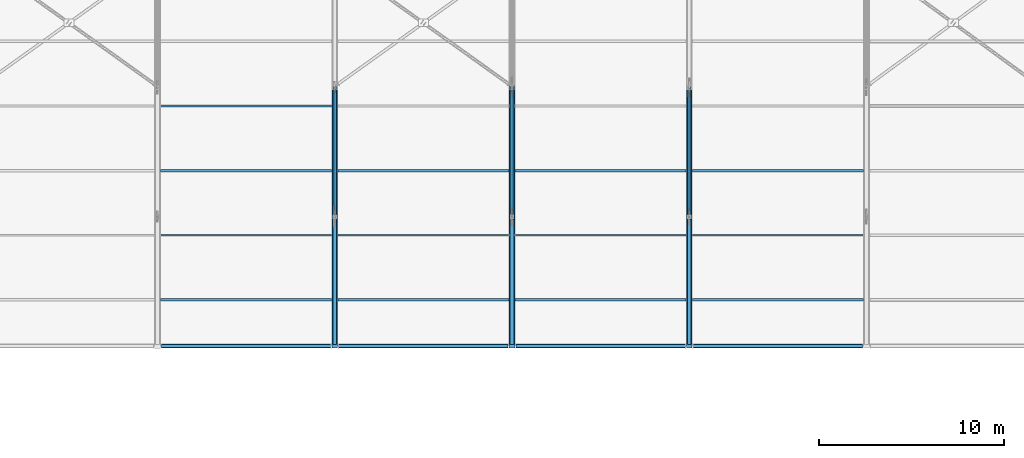
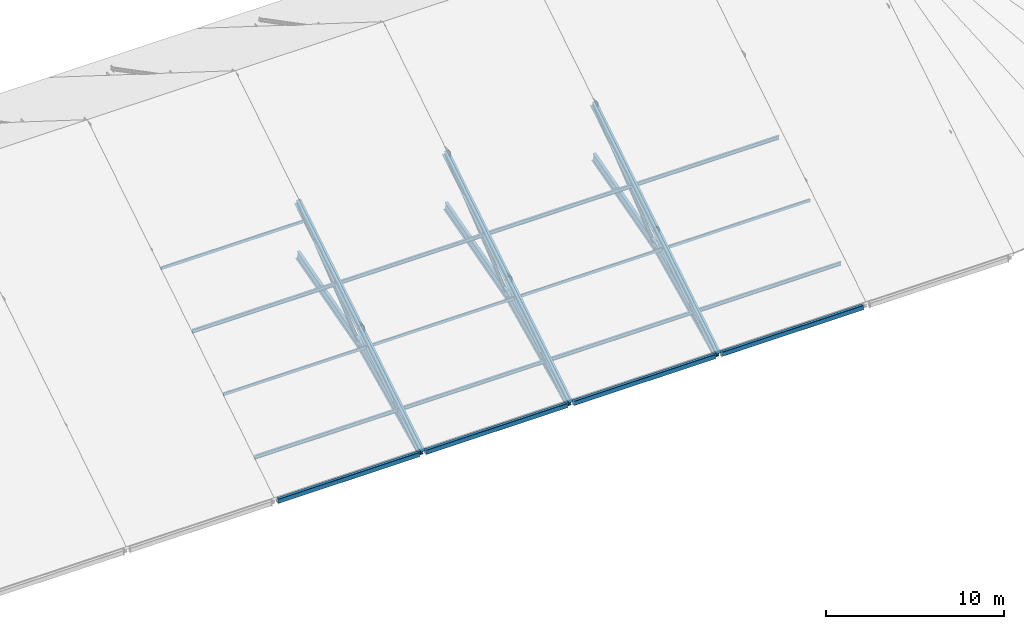
# One storey, part 8 of 66: 22 members, 10 beams.
"""IFC4 building model written with IfcOpenShell, lengths in metres."""

from ifc_helpers import new_model, si_unit, direction, frame, origin, origin_2d, place, context, subcontext, project, spatial, hollow_rectangle, hollow_circle, i_section, extrude, material, material_profile, profile_set, type_object, element, save


model = new_model("IFC4")

# Units and contexts
model_context = context("Model", 3, precision=1e-05, world=origin(), true_north=direction((0.0, 1.0)))
body_context = subcontext(model_context, "Body", "Model", "MODEL_VIEW")
ifc_project = project(units=[si_unit("LENGTHUNIT", "METRE"), si_unit("AREAUNIT", "SQUARE_METRE"), si_unit("VOLUMEUNIT", "CUBIC_METRE"), si_unit("PLANEANGLEUNIT", "RADIAN"), si_unit("MASSUNIT", "GRAM", prefix="KILO")], contexts=[model_context])

# Site, building, storey
site_placement = place(None, origin())
site = spatial("IfcSite", under=ifc_project, at=site_placement, CompositionType="ELEMENT")
building_placement = place(site_placement, origin())
building = spatial("IfcBuilding", under=site, at=building_placement, Name="Yeouljin Market Hall", CompositionType="ELEMENT")
storey_placement = place(building_placement, frame((0.0, 0.0, 23.39990234375)))
storey = spatial("IfcBuildingStorey", under=building, at=storey_placement, Name="RF", CompositionType="ELEMENT", Elevation=23.39990234375)

# Beams
ifc_material_1 = material(Name="Steel SM355", Category="steel")
ifc_material_profile_1 = material_profile(ifc_material_1, i_section(OverallWidth=0.199951171875, OverallDepth=0.60009765625, WebThickness=0.010986328125, FlangeThickness=0.01708984375, FilletRadius=0.02197265625, at=origin_2d()), Name="H-600x200x11x17")
ifc_profile_set_1 = profile_set([ifc_material_profile_1], Name="Steel SM355")
beam_type_1 = type_object("IfcBeamType", Name="Beam_H-600x200x11x17", PredefinedType="BEAM", material=ifc_profile_set_1)
beam_1_placement = place(storey_placement, frame((102.60009765625, 36.199951171875, -12.2998046875), z_axis=(0.0, 0.903192091176, 0.429236585623), x_axis=(-1.0, 0.0, 0.0)))
element("IfcBeam", 1, at=beam_1_placement, inside=storey, type_object=beam_type_1, Name="Truss AT-08 arch rib 1", PredefinedType="BEAM", context=body_context, shape_type="SweptSolid", body=[
    extrude(i_section(OverallWidth=0.199951171875, OverallDepth=0.60009765625, WebThickness=0.010986328125, FlangeThickness=0.01708984375, FilletRadius=0.02197265625, at=origin_2d()), origin(), (0.0, 0.0, 1.0), 7.5068359375),
])
beam_2_placement = place(storey_placement, frame((102.60009765625, 43.02001953125, -9.07763671875), z_axis=(0.0, 0.963516941196, 0.267647350124), x_axis=(-1.0, 0.0, 0.0)))
element("IfcBeam", 2, at=beam_2_placement, inside=storey, type_object=beam_type_1, Name="Truss AT-08 arch rib 2", PredefinedType="BEAM", context=body_context, shape_type="SweptSolid", body=[
    extrude(i_section(OverallWidth=0.199951171875, OverallDepth=0.60009765625, WebThickness=0.010986328125, FlangeThickness=0.01708984375, FilletRadius=0.02197265625, at=origin_2d()), origin(), (0.0, 0.0, 1.0), 7.223388671875),
])
beam_3_placement = place(storey_placement, frame((112.199951171875, 36.199951171875, -12.2998046875), z_axis=(0.0, 0.903192091176, 0.429236585623), x_axis=(-1.0, 0.0, 0.0)))
element("IfcBeam", 3, at=beam_3_placement, inside=storey, type_object=beam_type_1, Name="Truss AT-09 arch rib 1", PredefinedType="BEAM", context=body_context, shape_type="SweptSolid", body=[
    extrude(i_section(OverallWidth=0.199951171875, OverallDepth=0.60009765625, WebThickness=0.010986328125, FlangeThickness=0.01708984375, FilletRadius=0.02197265625, at=origin_2d()), origin(), (0.0, 0.0, 1.0), 7.5068359375),
])
beam_4_placement = place(storey_placement, frame((112.199951171875, 43.02001953125, -9.07763671875), z_axis=(0.0, 0.963516941196, 0.267647350124), x_axis=(-1.0, 0.0, 0.0)))
element("IfcBeam", 4, at=beam_4_placement, inside=storey, type_object=beam_type_1, Name="Truss AT-09 arch rib 2", PredefinedType="BEAM", context=body_context, shape_type="SweptSolid", body=[
    extrude(i_section(OverallWidth=0.199951171875, OverallDepth=0.60009765625, WebThickness=0.010986328125, FlangeThickness=0.01708984375, FilletRadius=0.02197265625, at=origin_2d()), origin(), (0.0, 0.0, 1.0), 7.223388671875),
])
beam_5_placement = place(storey_placement, frame((121.800048828125, 36.199951171875, -12.2998046875), z_axis=(0.0, 0.903192091176, 0.429236585623), x_axis=(-1.0, 0.0, 0.0)))
element("IfcBeam", 5, at=beam_5_placement, inside=storey, type_object=beam_type_1, Name="Truss AT-10 arch rib 1", PredefinedType="BEAM", context=body_context, shape_type="SweptSolid", body=[
    extrude(i_section(OverallWidth=0.199951171875, OverallDepth=0.60009765625, WebThickness=0.010986328125, FlangeThickness=0.01708984375, FilletRadius=0.02197265625, at=origin_2d()), origin(), (0.0, 0.0, 1.0), 7.5068359375),
])
beam_6_placement = place(storey_placement, frame((121.800048828125, 43.02001953125, -9.07763671875), z_axis=(0.0, 0.963516941196, 0.267647350124), x_axis=(-1.0, 0.0, 0.0)))
element("IfcBeam", 6, at=beam_6_placement, inside=storey, type_object=beam_type_1, Name="Truss AT-10 arch rib 2", PredefinedType="BEAM", context=body_context, shape_type="SweptSolid", body=[
    extrude(i_section(OverallWidth=0.199951171875, OverallDepth=0.60009765625, WebThickness=0.010986328125, FlangeThickness=0.01708984375, FilletRadius=0.02197265625, at=origin_2d()), origin(), (0.0, 0.0, 1.0), 7.223388671875),
])
ifc_material_2 = material(Name="Steel SM355", Category="steel")
ifc_material_profile_2 = material_profile(ifc_material_2, hollow_rectangle(XDim=0.199951171875, YDim=0.300048828125, WallThickness=0.009033203125, InnerFilletRadius=0.009033203125, OuterFilletRadius=0.01611328125, at=origin_2d()), Name="RHS-300x200x9")
ifc_profile_set_2 = profile_set([ifc_material_profile_2], Name="Steel SM355")
beam_type_2 = type_object("IfcBeamType", Name="Beam_RHS-300x200x9", PredefinedType="BEAM", material=ifc_profile_set_2)
for number, where, z_axis, x_axis, name in (
    (7, (93.216064453125, 36.0, -12.27978515625), (1.0, 0.0, 0.0), (0.0, 1.0, 0.0), "Hall eaves girder S07"),
    (8, (102.81591796875, 36.0, -12.27978515625), (1.0, 0.0, 0.0), (0.0, 1.0, 0.0), "Hall eaves girder S08"),
    (9, (112.416015625, 36.0, -12.27978515625), (1.0, 0.0, 0.0), (0.0, 1.0, 0.0), "Hall eaves girder S09"),
    (10, (122.01611328125, 36.0, -12.27978515625), (1.0, 0.0, 0.0), (0.0, 1.0, 0.0), "Hall eaves girder S10"),
):
    element("IfcBeam", number, at=place(storey_placement, frame(where, z_axis=z_axis, x_axis=x_axis)), inside=storey, type_object=beam_type_2, Name=name, PredefinedType="BEAM", context=body_context, shape_type="SweptSolid", body=[
        extrude(hollow_rectangle(XDim=0.199951171875, YDim=0.300048828125, WallThickness=0.009033203125, InnerFilletRadius=0.009033203125, OuterFilletRadius=0.01611328125, at=origin_2d()), origin(), (0.0, 0.0, 1.0), 9.16796875),
    ])

# Members
ifc_material_3 = material(Name="Steel SM355", Category="steel")
ifc_material_profile_3 = material_profile(ifc_material_3, hollow_circle(Radius=0.108154296875, WallThickness=0.008056640625, at=origin_2d()), Name="CHS-216.3x8")
ifc_profile_set_3 = profile_set([ifc_material_profile_3], Name="Steel SM355")
member_type_1 = type_object("IfcMemberType", Name="Brace_CHS-216.3x8", PredefinedType="BRACE", material=ifc_profile_set_3)
for number, where, z_axis, x_axis, name in (
    (11, (102.60009765625, 43.172119140625, -8.940673828125), (0.0, 0.782065231413, 0.623196577185), (-1.0, 0.0, 0.0), "Truss AT-08 web diagonal 2"),
    (12, (112.199951171875, 43.172119140625, -8.940673828125), (0.0, 0.782065231413, 0.623196577185), (-1.0, 0.0, 0.0), "Truss AT-09 web diagonal 2"),
    (13, (121.800048828125, 43.172119140625, -8.940673828125), (0.0, 0.782065231413, 0.623196577185), (-1.0, 0.0, 0.0), "Truss AT-10 web diagonal 2"),
):
    element("IfcMember", number, at=place(storey_placement, frame(where, z_axis=z_axis, x_axis=x_axis)), inside=storey, type_object=member_type_1, Name=name, PredefinedType="BRACE", context=body_context, shape_type="SweptSolid", body=[
        extrude(hollow_circle(Radius=0.108154296875, WallThickness=0.008056640625, at=origin_2d()), origin(), (0.0, 0.0, 1.0), 8.510498046875),
    ])
ifc_material_4 = material(Name="Steel SM355", Category="steel")
ifc_material_profile_4 = material_profile(ifc_material_4, i_section(OverallWidth=0.300048828125, OverallDepth=0.43994140625, WebThickness=0.010986328125, FlangeThickness=0.01806640625, FilletRadius=0.02001953125, at=origin_2d()), Name="H-440x300x11x18")
ifc_profile_set_4 = profile_set([ifc_material_profile_4], Name="Steel SM355")
member_type_2 = type_object("IfcMemberType", Name="Chord_H-440x300x11x18", PredefinedType="CHORD", material=ifc_profile_set_4)
for number, where, z_axis, x_axis, name in (
    (14, (102.60009765625, 36.0, -12.2998046875), (0.0, 0.846641870869, 0.53216307885), (-1.0, 0.0, 0.0), "Truss AT-08 top chord 1"),
    (15, (102.60009765625, 43.0, -7.89990234375), (0.0, 0.846641870869, 0.53216307885), (-1.0, 0.0, 0.0), "Truss AT-08 top chord 2"),
    (16, (112.199951171875, 36.0, -12.2998046875), (0.0, 0.846641870869, 0.53216307885), (-1.0, 0.0, 0.0), "Truss AT-09 top chord 1"),
    (17, (112.199951171875, 43.0, -7.89990234375), (0.0, 0.846641870869, 0.53216307885), (-1.0, 0.0, 0.0), "Truss AT-09 top chord 2"),
    (18, (121.800048828125, 36.0, -12.2998046875), (0.0, 0.846641870869, 0.53216307885), (-1.0, 0.0, 0.0), "Truss AT-10 top chord 1"),
    (19, (121.800048828125, 43.0, -7.89990234375), (0.0, 0.846641870869, 0.53216307885), (-1.0, 0.0, 0.0), "Truss AT-10 top chord 2"),
):
    element("IfcMember", number, at=place(storey_placement, frame(where, z_axis=z_axis, x_axis=x_axis)), inside=storey, type_object=member_type_2, Name=name, PredefinedType="CHORD", context=body_context, shape_type="SweptSolid", body=[
        extrude(i_section(OverallWidth=0.300048828125, OverallDepth=0.43994140625, WebThickness=0.010986328125, FlangeThickness=0.01806640625, FilletRadius=0.02001953125, at=origin_2d()), origin(), (0.0, 0.0, 1.0), 8.26806640625),
    ])
ifc_material_5 = material(Name="Steel SM355", Category="steel")
ifc_material_profile_5 = material_profile(ifc_material_5, i_section(OverallWidth=0.125, OverallDepth=0.25, WebThickness=0.006103515625, FlangeThickness=0.009033203125, FilletRadius=0.011962890625, at=origin_2d()), Name="H-250x125x6x9")
ifc_profile_set_5 = profile_set([ifc_material_profile_5], Name="Steel SM355")
member_type_3 = type_object("IfcMemberType", Name="Purlin_H-250x125x6x9", PredefinedType="PURLIN", material=ifc_profile_set_5)
for number, where, z_axis, x_axis, name in (
    (20, (93.166015625, 38.5, -10.80859375), (1.0, 0.0, 0.0), (0.0, 1.0, 0.0), "Nave roof purlin 073"),
    (21, (93.166015625, 45.5, -6.408447265625), (1.0, 0.0, 0.0), (0.0, 1.0, 0.0), "Nave roof purlin 075"),
):
    element("IfcMember", number, at=place(storey_placement, frame(where, z_axis=z_axis, x_axis=x_axis)), inside=storey, type_object=member_type_3, Name=name, PredefinedType="PURLIN", context=body_context, shape_type="SweptSolid", body=[
        extrude(i_section(OverallWidth=0.125, OverallDepth=0.25, WebThickness=0.006103515625, FlangeThickness=0.009033203125, FilletRadius=0.011962890625, at=origin_2d()), origin(), (0.0, 0.0, 1.0), 9.26806640625),
    ])
for number, where, z_axis, x_axis, name in (
    (22, (102.76611328125, 38.5, -10.80859375), (1.0, 0.0, 0.0), (0.0, 1.0, 0.0), "Nave roof purlin 085"),
    (23, (102.76611328125, 45.5, -6.408447265625), (1.0, 0.0, 0.0), (0.0, 1.0, 0.0), "Nave roof purlin 087"),
):
    element("IfcMember", number, at=place(storey_placement, frame(where, z_axis=z_axis, x_axis=x_axis)), inside=storey, type_object=member_type_3, Name=name, PredefinedType="PURLIN", context=body_context, shape_type="SweptSolid", body=[
        extrude(i_section(OverallWidth=0.125, OverallDepth=0.25, WebThickness=0.006103515625, FlangeThickness=0.009033203125, FilletRadius=0.011962890625, at=origin_2d()), origin(), (0.0, 0.0, 1.0), 9.267822265625),
    ])
for number, where, z_axis, x_axis, name in (
    (24, (112.365966796875, 38.5, -10.80859375), (1.0, 0.0, 0.0), (0.0, 1.0, 0.0), "Nave roof purlin 097"),
    (25, (112.365966796875, 45.5, -6.408447265625), (1.0, 0.0, 0.0), (0.0, 1.0, 0.0), "Nave roof purlin 099"),
):
    element("IfcMember", number, at=place(storey_placement, frame(where, z_axis=z_axis, x_axis=x_axis)), inside=storey, type_object=member_type_3, Name=name, PredefinedType="PURLIN", context=body_context, shape_type="SweptSolid", body=[
        extrude(i_section(OverallWidth=0.125, OverallDepth=0.25, WebThickness=0.006103515625, FlangeThickness=0.009033203125, FilletRadius=0.011962890625, at=origin_2d()), origin(), (0.0, 0.0, 1.0), 9.26806640625),
    ])
for number, where, z_axis, x_axis, name in (
    (26, (121.966064453125, 38.5, -10.80859375), (1.0, 0.0, 0.0), (0.0, 1.0, 0.0), "Nave roof purlin 109"),
    (27, (121.966064453125, 45.5, -6.408447265625), (1.0, 0.0, 0.0), (0.0, 1.0, 0.0), "Nave roof purlin 111"),
):
    element("IfcMember", number, at=place(storey_placement, frame(where, z_axis=z_axis, x_axis=x_axis)), inside=storey, type_object=member_type_3, Name=name, PredefinedType="PURLIN", context=body_context, shape_type="SweptSolid", body=[
        extrude(i_section(OverallWidth=0.125, OverallDepth=0.25, WebThickness=0.006103515625, FlangeThickness=0.009033203125, FilletRadius=0.011962890625, at=origin_2d()), origin(), (0.0, 0.0, 1.0), 9.267822265625),
    ])
ifc_material_6 = material(Name="Steel SS275", Category="steel")
ifc_material_profile_6 = material_profile(ifc_material_6, hollow_rectangle(XDim=0.10009765625, YDim=0.199951171875, WallThickness=0.006103515625, InnerFilletRadius=0.006103515625, OuterFilletRadius=0.011962890625, at=origin_2d()), Name="RHS-200x100x6")
ifc_profile_set_6 = profile_set([ifc_material_profile_6], Name="Steel SS275")
member_type_4 = type_object("IfcMemberType", Name="Purlin_RHS-200x100x6", PredefinedType="PURLIN", material=ifc_profile_set_6)
for number, where, z_axis, x_axis, name in (
    (28, (93.166015625, 42.0, -8.6083984375), (1.0, 0.0, 0.0), (0.0, 1.0, 0.0), "Nave roof purlin 074"),
    (29, (93.166015625, 49.0, -4.20849609375), (1.0, 0.0, 0.0), (0.0, 1.0, 0.0), "Nave roof purlin 076"),
):
    element("IfcMember", number, at=place(storey_placement, frame(where, z_axis=z_axis, x_axis=x_axis)), inside=storey, type_object=member_type_4, Name=name, PredefinedType="PURLIN", context=body_context, shape_type="SweptSolid", body=[
        extrude(hollow_rectangle(XDim=0.10009765625, YDim=0.199951171875, WallThickness=0.006103515625, InnerFilletRadius=0.006103515625, OuterFilletRadius=0.011962890625, at=origin_2d()), origin(), (0.0, 0.0, 1.0), 9.26806640625),
    ])
member_1_placement = place(storey_placement, frame((102.76611328125, 42.0, -8.6083984375), z_axis=(1.0, 0.0, 0.0), x_axis=(0.0, 1.0, 0.0)))
element("IfcMember", 30, at=member_1_placement, inside=storey, type_object=member_type_4, Name="Nave roof purlin 086", PredefinedType="PURLIN", context=body_context, shape_type="SweptSolid", body=[
    extrude(hollow_rectangle(XDim=0.10009765625, YDim=0.199951171875, WallThickness=0.006103515625, InnerFilletRadius=0.006103515625, OuterFilletRadius=0.011962890625, at=origin_2d()), origin(), (0.0, 0.0, 1.0), 9.267822265625),
])
member_2_placement = place(storey_placement, frame((112.365966796875, 42.0, -8.6083984375), z_axis=(1.0, 0.0, 0.0), x_axis=(0.0, 1.0, 0.0)))
element("IfcMember", 31, at=member_2_placement, inside=storey, type_object=member_type_4, Name="Nave roof purlin 098", PredefinedType="PURLIN", context=body_context, shape_type="SweptSolid", body=[
    extrude(hollow_rectangle(XDim=0.10009765625, YDim=0.199951171875, WallThickness=0.006103515625, InnerFilletRadius=0.006103515625, OuterFilletRadius=0.011962890625, at=origin_2d()), origin(), (0.0, 0.0, 1.0), 9.26806640625),
])
member_3_placement = place(storey_placement, frame((121.966064453125, 42.0, -8.6083984375), z_axis=(1.0, 0.0, 0.0), x_axis=(0.0, 1.0, 0.0)))
element("IfcMember", 32, at=member_3_placement, inside=storey, type_object=member_type_4, Name="Nave roof purlin 110", PredefinedType="PURLIN", context=body_context, shape_type="SweptSolid", body=[
    extrude(hollow_rectangle(XDim=0.10009765625, YDim=0.199951171875, WallThickness=0.006103515625, InnerFilletRadius=0.006103515625, OuterFilletRadius=0.011962890625, at=origin_2d()), origin(), (0.0, 0.0, 1.0), 9.267822265625),
])

save(model, "model.ifc")
